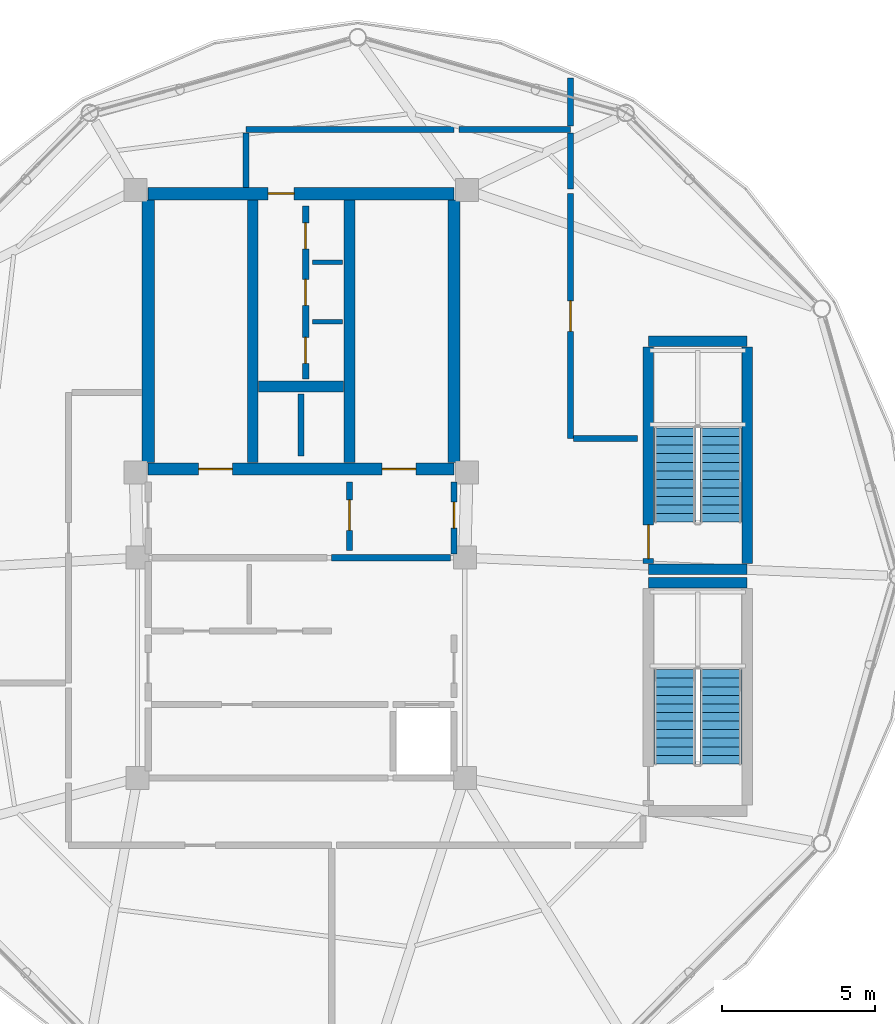
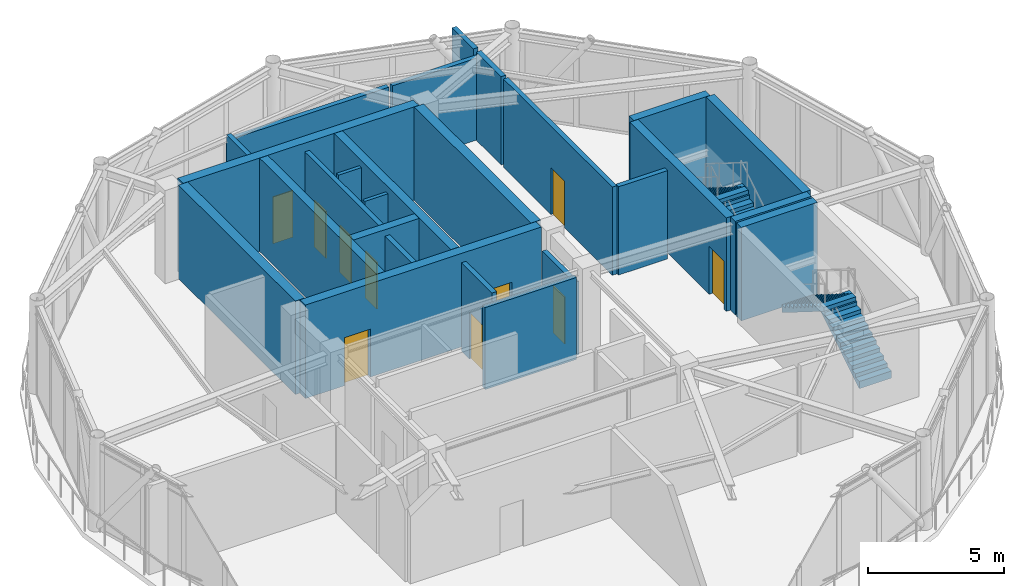
# One storey, part 18 of 21: 26 walls, 10 doors, 4 stair flights, 10 openings, 2 elements without a shape of their own.
"""IFC4 building model written with IfcOpenShell, lengths in metres."""

from ifc_helpers import new_model, si_unit, direction, frame, frame_2d, origin, place, context, subcontext, project, spatial, polyline, rectangle, outline, extrude, material, layer, layer_set, type_object, element, fill, aggregate, save


model = new_model("IFC4")

# Units and contexts
model_context = context("Model", 3, precision=1e-05, world=origin(), true_north=direction((0.0, 1.0)))
body_context = subcontext(model_context, "Body", "Model", "MODEL_VIEW")
ifc_project = project(units=[si_unit("LENGTHUNIT", "METRE"), si_unit("AREAUNIT", "SQUARE_METRE"), si_unit("VOLUMEUNIT", "CUBIC_METRE"), si_unit("PLANEANGLEUNIT", "RADIAN"), si_unit("MASSUNIT", "GRAM", prefix="KILO")], contexts=[model_context])

# Site, building, storey
site_placement = place(None, origin())
site = spatial("IfcSite", under=ifc_project, at=site_placement, CompositionType="ELEMENT")
building_placement = place(site_placement, origin())
building = spatial("IfcBuilding", under=site, at=building_placement, Name="Varnakorn Sky Granary", CompositionType="ELEMENT")
storey_placement = place(building_placement, frame((0.0, 0.0, 294.0)))
storey = spatial("IfcBuildingStorey", under=building, at=storey_placement, Name="L75", CompositionType="ELEMENT", Elevation=294.0)

# Walls
ifc_material_1 = material(Name="Concrete C50/60", Category="concrete")
ifc_layer_1 = layer(ifc_material_1, 0.35009765625, Name="Concrete C50/60")
ifc_layer_set_1 = layer_set([ifc_layer_1], Name="Concrete C50/60")
wall_type_1 = type_object("IfcWallType", Name="WT-CW-INT-350", PredefinedType="SHEAR", material=ifc_layer_set_1)
for number, where, z_axis, x_axis, name in (
    (1, (14.35009765625, 0.219970703125, 0.0), (0.0, 0.0, 1.0), (1.0, 0.0, 0.0), "Crown Stair STC1 South Wall L75"),
    (2, (14.35009765625, 7.679931640625, 0.0), (0.0, 0.0, 1.0), (1.0, 0.0, 0.0), "Crown Stair STC1 North Wall L75"),
):
    element("IfcWall", number, at=place(storey_placement, frame(where, z_axis=z_axis, x_axis=x_axis)), inside=storey, type_object=wall_type_1, Name=name, PredefinedType="SHEAR", context=body_context, shape_type="SweptSolid", body=[
        extrude(rectangle(XDim=3.22998046875, YDim=0.35009765625, at=frame_2d((1.614990234375, 0.0))), origin(), (0.0, 0.0, 1.0), 4.19189453125),
    ])

# Wall, opening, door
wall_1_placement = place(storey_placement, frame((14.35009765625, 0.409912109375, 0.0), z_axis=(0.0, 0.0, 1.0), x_axis=(0.0, 1.0, 0.0)))
wall_1 = element("IfcWall", 3, at=wall_1_placement, inside=storey, type_object=wall_type_1, Name="Crown Stair STC1 West Wall L75", PredefinedType="SHEAR", context=body_context, shape_type="SweptSolid", body=[
    extrude(rectangle(XDim=7.080078125, YDim=0.35009765625, at=frame_2d((3.5400390625, 0.0))), origin(), (0.0, 0.0, 1.0), 4.19189453125),
])
opening_1_placement = place(wall_1_placement, frame((0.159912109375, 0.0, 0.0)))
opening_1 = element("IfcOpeningElement", 4, at=opening_1_placement, cuts=wall_1, Name="Opening FD-90", PredefinedType="OPENING", context=body_context, shape_type="SweptSolid", body=[
    extrude(rectangle(XDim=1.10009765625, YDim=2.14990234375, at=frame_2d((0.550048828125, 1.074951171875))), frame((0.0, 0.18505859375, 0.0), z_axis=(0.0, -1.0, 0.0), x_axis=(1.0, 0.0, 0.0)), (0.0, 0.0, 1.0), 0.3701171875),
])
ifc_material_2 = material(Name="Galvanised Painted Steel Leaf", Category="steel")
door_type_1 = type_object("IfcDoorType", Name="DR-STAIR-1100", OperationType="NOTDEFINED", PredefinedType="DOOR", material=ifc_material_2)
door_1_placement = place(opening_1_placement, origin())
door_1 = element("IfcDoor", 5, at=door_1_placement, inside=storey, type_object=door_type_1, Name="Crown Stair STC1 Protected Fire Door L75", OperationType="SINGLE_SWING_LEFT", OverallHeight=2.14990234375, OverallWidth=1.10009765625, PredefinedType="DOOR", context=body_context, shape_type="SweptSolid", body=[
    extrude(rectangle(XDim=1.10009765625, YDim=2.14990234375, at=frame_2d((0.550048828125, 1.074951171875))), frame((0.0, 0.02490234375, 0.0), z_axis=(0.0, -1.0, 0.0), x_axis=(1.0, 0.0, 0.0)), (0.0, 0.0, 1.0), 0.050048828125),
])
fill(opening_1, door_1)

# Walls
wall_2_placement = place(storey_placement, frame((17.580078125, 0.409912109375, 0.0), z_axis=(0.0, 0.0, 1.0), x_axis=(0.0, 1.0, 0.0)))
element("IfcWall", 6, at=wall_2_placement, inside=storey, type_object=wall_type_1, Name="Crown Stair STC1 East Wall L75", PredefinedType="SHEAR", context=body_context, shape_type="SweptSolid", body=[
    extrude(rectangle(XDim=7.080078125, YDim=0.35009765625, at=frame_2d((3.5400390625, 0.0))), origin(), (0.0, 0.0, 1.0), 4.19189453125),
])
wall_3_placement = place(storey_placement, frame((14.35009765625, -0.219970703125, 0.0), z_axis=(0.0, 0.0, 1.0), x_axis=(1.0, 0.0, 0.0)))
element("IfcWall", 7, at=wall_3_placement, inside=storey, type_object=wall_type_1, Name="Crown Stair STC2 North Wall L75", PredefinedType="SHEAR", context=body_context, shape_type="SweptSolid", body=[
    extrude(rectangle(XDim=3.22998046875, YDim=0.35009765625, at=frame_2d((1.614990234375, 0.0))), origin(), (0.0, 0.0, 1.0), 4.19189453125),
])
for number, where, z_axis, x_axis, name in (
    (8, (1.419921875, 3.7099609375, 0.0), (0.0, 0.0, 1.0), (0.0, 1.0, 0.0), "Stair ST-1 Core Wall L75"),
    (9, (4.580078125, 3.7099609375, 0.0), (0.0, 0.0, 1.0), (0.0, 1.0, 0.0), "Stair ST-2 Core Wall L75"),
):
    element("IfcWall", number, at=place(storey_placement, frame(where, z_axis=z_axis, x_axis=x_axis)), inside=storey, type_object=wall_type_1, Name=name, PredefinedType="SHEAR", context=body_context, shape_type="SweptSolid", body=[
        extrude(rectangle(XDim=8.580078125, YDim=0.35009765625, at=frame_2d((4.2900390625, 0.0))), origin(), (0.0, 0.0, 1.0), 4.19189453125),
    ])
wall_4_placement = place(storey_placement, frame((1.610107421875, 6.199951171875, 0.0), z_axis=(0.0, 0.0, 1.0), x_axis=(1.0, 0.0, 0.0)))
element("IfcWall", 10, at=wall_4_placement, inside=storey, type_object=wall_type_1, Name="Core Lift Shaft Cross Wall L75", PredefinedType="SHEAR", context=body_context, shape_type="SweptSolid", body=[
    extrude(rectangle(XDim=2.77978515625, YDim=0.35009765625, at=frame_2d((1.389892578125, 0.0))), origin(), (0.0, 0.0, 1.0), 4.19189453125),
])

# Wall, openings, doors
ifc_layer_2 = layer(ifc_material_1, 0.39990234375, Name="Concrete C50/60")
ifc_layer_set_2 = layer_set([ifc_layer_2], Name="Concrete C50/60")
wall_type_2 = type_object("IfcWallType", Name="WT-CW-SHEAR-400", PredefinedType="SHEAR", material=ifc_layer_set_2)
wall_5_placement = place(storey_placement, frame((-2.0, 3.5, 0.0), z_axis=(0.0, 0.0, 1.0), x_axis=(1.0, 0.0, 0.0)))
wall_5 = element("IfcWall", 11, at=wall_5_placement, inside=storey, type_object=wall_type_2, Name="Core South Shear Wall L75", PredefinedType="SHEAR", context=body_context, shape_type="SweptSolid", body=[
    extrude(rectangle(XDim=10.0, YDim=0.39990234375, at=frame_2d((5.0, 0.0))), origin(), (0.0, 0.0, 1.0), 4.19189453125),
])
opening_2_placement = place(wall_5_placement, frame((1.64990234375, 0.0, 0.0)))
opening_2 = element("IfcOpeningElement", 12, at=opening_2_placement, cuts=wall_5, Name="Opening FD-90", PredefinedType="OPENING", context=body_context, shape_type="SweptSolid", body=[
    extrude(rectangle(XDim=1.10009765625, YDim=2.14990234375, at=frame_2d((0.550048828125, 1.074951171875))), frame((0.0, 0.2099609375, 0.0), z_axis=(0.0, -1.0, 0.0), x_axis=(1.0, 0.0, 0.0)), (0.0, 0.0, 1.0), 0.419921875),
])
opening_3_placement = place(wall_5_placement, frame((7.64990234375, 0.0, 0.0)))
opening_3 = element("IfcOpeningElement", 13, at=opening_3_placement, cuts=wall_5, Name="Opening FD-90", PredefinedType="OPENING", context=body_context, shape_type="SweptSolid", body=[
    extrude(rectangle(XDim=1.10009765625, YDim=2.14990234375, at=frame_2d((0.550048828125, 1.074951171875))), frame((0.0, 0.2099609375, 0.0), z_axis=(0.0, -1.0, 0.0), x_axis=(1.0, 0.0, 0.0)), (0.0, 0.0, 1.0), 0.419921875),
])
door_2_placement = place(opening_2_placement, origin())
door_2 = element("IfcDoor", 14, at=door_2_placement, inside=storey, type_object=door_type_1, Name="Stair ST-1 Protected Fire Door L75", OperationType="SINGLE_SWING_LEFT", OverallHeight=2.14990234375, OverallWidth=1.10009765625, PredefinedType="DOOR", context=body_context, shape_type="SweptSolid", body=[
    extrude(rectangle(XDim=1.10009765625, YDim=2.14990234375, at=frame_2d((0.550048828125, 1.074951171875))), frame((0.0, 0.02490234375, 0.0), z_axis=(0.0, -1.0, 0.0), x_axis=(1.0, 0.0, 0.0)), (0.0, 0.0, 1.0), 0.050048828125),
])
fill(opening_2, door_2)
door_3_placement = place(opening_3_placement, origin())
door_3 = element("IfcDoor", 15, at=door_3_placement, inside=storey, type_object=door_type_1, Name="Stair ST-2 Protected Fire Door L75", OperationType="SINGLE_SWING_RIGHT", OverallHeight=2.14990234375, OverallWidth=1.10009765625, PredefinedType="DOOR", context=body_context, shape_type="SweptSolid", body=[
    extrude(rectangle(XDim=1.10009765625, YDim=2.14990234375, at=frame_2d((0.550048828125, 1.074951171875))), frame((0.0, 0.02490234375, 0.0), z_axis=(0.0, -1.0, 0.0), x_axis=(1.0, 0.0, 0.0)), (0.0, 0.0, 1.0), 0.050048828125),
])
fill(opening_3, door_3)

# Wall, opening, door
wall_6_placement = place(storey_placement, frame((-2.0, 12.5, 0.0), z_axis=(0.0, 0.0, 1.0), x_axis=(1.0, 0.0, 0.0)))
wall_6 = element("IfcWall", 16, at=wall_6_placement, inside=storey, type_object=wall_type_2, Name="Core North Shear Wall L75", PredefinedType="SHEAR", context=body_context, shape_type="SweptSolid", body=[
    extrude(rectangle(XDim=10.0, YDim=0.39990234375, at=frame_2d((5.0, 0.0))), origin(), (0.0, 0.0, 1.0), 4.19189453125),
])
opening_4_placement = place(wall_6_placement, frame((3.919921875, 0.0, 0.0)))
opening_4 = element("IfcOpeningElement", 17, at=opening_4_placement, cuts=wall_6, Name="Opening FD-60N", PredefinedType="OPENING", context=body_context, shape_type="SweptSolid", body=[
    extrude(rectangle(XDim=0.85009765625, YDim=2.10009765625, at=frame_2d((0.425048828125, 1.050048828125))), frame((0.0, 0.2099609375, 0.0), z_axis=(0.0, -1.0, 0.0), x_axis=(1.0, 0.0, 0.0)), (0.0, 0.0, 1.0), 0.419921875),
])
ifc_material_3 = material(Name="Acoustic Timber Fire Leaf", Category="wood")
door_type_2 = type_object("IfcDoorType", Name="DR-FD60-850", OperationType="NOTDEFINED", PredefinedType="DOOR", material=ifc_material_3)
door_4_placement = place(opening_4_placement, origin())
door_4 = element("IfcDoor", 18, at=door_4_placement, inside=storey, type_object=door_type_2, Name="Core North Service Door L75", OperationType="SINGLE_SWING_LEFT", OverallHeight=2.10009765625, OverallWidth=0.85009765625, PredefinedType="DOOR", context=body_context, shape_type="SweptSolid", body=[
    extrude(rectangle(XDim=0.85009765625, YDim=2.10009765625, at=frame_2d((0.425048828125, 1.050048828125))), frame((0.0, 0.02490234375, 0.0), z_axis=(0.0, -1.0, 0.0), x_axis=(1.0, 0.0, 0.0)), (0.0, 0.0, 1.0), 0.050048828125),
])
fill(opening_4, door_4)

# Walls
for number, where, z_axis, x_axis, name in (
    (19, (-2.0, 3.7099609375, 0.0), (0.0, 0.0, 1.0), (0.0, 1.0, 0.0), "Core West Shear Wall L75"),
    (20, (8.0, 3.7099609375, 0.0), (0.0, 0.0, 1.0), (0.0, 1.0, 0.0), "Core East Shear Wall L75"),
):
    element("IfcWall", number, at=place(storey_placement, frame(where, z_axis=z_axis, x_axis=x_axis)), inside=storey, type_object=wall_type_2, Name=name, PredefinedType="SHEAR", context=body_context, shape_type="SweptSolid", body=[
        extrude(rectangle(XDim=8.580078125, YDim=0.39990234375, at=frame_2d((4.2900390625, 0.0))), origin(), (0.0, 0.0, 1.0), 4.19189453125),
    ])

# Wall, openings, doors
ifc_material_4 = material(Name="Autoclaved Aerated Concrete Blockwork", Category="masonry")
ifc_layer_3 = layer(ifc_material_4, 0.199951171875, Name="Autoclaved Aerated Concrete Blockwork")
ifc_layer_set_3 = layer_set([ifc_layer_3], Name="Autoclaved Aerated Concrete Blockwork")
wall_type_3 = type_object("IfcWallType", Name="WT-FIRE-200", PredefinedType="MOVABLE", material=ifc_layer_set_3)
wall_7_placement = place(storey_placement, frame((3.14990234375, 6.449951171875, 0.0), z_axis=(0.0, 0.0, 1.0), x_axis=(0.0, 1.0, 0.0)))
wall_7 = element("IfcWall", 21, at=wall_7_placement, inside=storey, type_object=wall_type_3, Name="Interior Partition Wall L75-007", PredefinedType="MOVABLE", context=body_context, shape_type="SweptSolid", body=[
    extrude(rectangle(XDim=5.650146484375, YDim=0.199951171875, at=frame_2d((2.8251953125, 0.0))), origin(), (0.0, 0.0, 1.0), 3.9599609375),
])
opening_5_placement = place(wall_7_placement, frame((0.5, 0.0, 0.0)))
opening_5 = element("IfcOpeningElement", 22, at=opening_5_placement, cuts=wall_7, Name="Opening FD-60N", PredefinedType="OPENING", context=body_context, shape_type="SweptSolid", body=[
    extrude(rectangle(XDim=0.85009765625, YDim=2.10009765625, at=frame_2d((0.425048828125, 1.050048828125))), frame((0.0, 0.10986328125, 0.0), z_axis=(0.0, -1.0, 0.0), x_axis=(1.0, 0.0, 0.0)), (0.0, 0.0, 1.0), 0.219970703125),
])
opening_6_placement = place(wall_7_placement, frame((2.39990234375, 0.0, 0.0)))
opening_6 = element("IfcOpeningElement", 23, at=opening_6_placement, cuts=wall_7, Name="Opening FD-60N", PredefinedType="OPENING", context=body_context, shape_type="SweptSolid", body=[
    extrude(rectangle(XDim=0.85009765625, YDim=2.10009765625, at=frame_2d((0.425048828125, 1.050048828125))), frame((0.0, 0.10986328125, 0.0), z_axis=(0.0, -1.0, 0.0), x_axis=(1.0, 0.0, 0.0)), (0.0, 0.0, 1.0), 0.219970703125),
])
opening_7_placement = place(wall_7_placement, frame((4.25, 0.0, 0.0)))
opening_7 = element("IfcOpeningElement", 24, at=opening_7_placement, cuts=wall_7, Name="Opening FD-60N", PredefinedType="OPENING", context=body_context, shape_type="SweptSolid", body=[
    extrude(rectangle(XDim=0.85009765625, YDim=2.10009765625, at=frame_2d((0.425048828125, 1.050048828125))), frame((0.0, 0.10986328125, 0.0), z_axis=(0.0, -1.0, 0.0), x_axis=(1.0, 0.0, 0.0)), (0.0, 0.0, 1.0), 0.219970703125),
])
door_5_placement = place(opening_5_placement, origin())
door_5 = element("IfcDoor", 25, at=door_5_placement, inside=storey, type_object=door_type_2, Name="Interior Door L75-007-1", OperationType="SINGLE_SWING_RIGHT", OverallHeight=2.10009765625, OverallWidth=0.85009765625, PredefinedType="DOOR", context=body_context, shape_type="SweptSolid", body=[
    extrude(rectangle(XDim=0.85009765625, YDim=2.10009765625, at=frame_2d((0.425048828125, 1.050048828125))), frame((0.0, 0.02490234375, 0.0), z_axis=(0.0, -1.0, 0.0), x_axis=(1.0, 0.0, 0.0)), (0.0, 0.0, 1.0), 0.050048828125),
])
fill(opening_5, door_5)
door_6_placement = place(opening_6_placement, origin())
door_6 = element("IfcDoor", 26, at=door_6_placement, inside=storey, type_object=door_type_2, Name="Interior Door L75-007-2", OperationType="SINGLE_SWING_LEFT", OverallHeight=2.10009765625, OverallWidth=0.85009765625, PredefinedType="DOOR", context=body_context, shape_type="SweptSolid", body=[
    extrude(rectangle(XDim=0.85009765625, YDim=2.10009765625, at=frame_2d((0.425048828125, 1.050048828125))), frame((0.0, 0.02490234375, 0.0), z_axis=(0.0, -1.0, 0.0), x_axis=(1.0, 0.0, 0.0)), (0.0, 0.0, 1.0), 0.050048828125),
])
fill(opening_6, door_6)
door_7_placement = place(opening_7_placement, origin())
door_7 = element("IfcDoor", 27, at=door_7_placement, inside=storey, type_object=door_type_2, Name="Interior Door L75-007-3", OperationType="SINGLE_SWING_RIGHT", OverallHeight=2.10009765625, OverallWidth=0.85009765625, PredefinedType="DOOR", context=body_context, shape_type="SweptSolid", body=[
    extrude(rectangle(XDim=0.85009765625, YDim=2.10009765625, at=frame_2d((0.425048828125, 1.050048828125))), frame((0.0, 0.02490234375, 0.0), z_axis=(0.0, -1.0, 0.0), x_axis=(1.0, 0.0, 0.0)), (0.0, 0.0, 1.0), 0.050048828125),
])
fill(opening_7, door_7)

# Wall, opening, door
wall_8_placement = place(storey_placement, frame((4.580078125, 0.830078125, 0.0), z_axis=(0.0, 0.0, 1.0), x_axis=(0.0, 1.0, 0.0)))
wall_8 = element("IfcWall", 28, at=wall_8_placement, inside=storey, type_object=wall_type_3, Name="Interior Partition Wall L75-008", PredefinedType="MOVABLE", context=body_context, shape_type="SweptSolid", body=[
    extrude(rectangle(XDim=2.239990234375, YDim=0.199951171875, at=frame_2d((1.1201171875, 0.0))), origin(), (0.0, 0.0, 1.0), 3.9599609375),
])
opening_8_placement = place(wall_8_placement, frame((0.659912109375, 0.0, 0.0)))
opening_8 = element("IfcOpeningElement", 29, at=opening_8_placement, cuts=wall_8, Name="Opening FD-60", PredefinedType="OPENING", context=body_context, shape_type="SweptSolid", body=[
    extrude(rectangle(XDim=1.0, YDim=2.10009765625, at=frame_2d((0.5, 1.050048828125))), frame((0.0, 0.10986328125, 0.0), z_axis=(0.0, -1.0, 0.0), x_axis=(1.0, 0.0, 0.0)), (0.0, 0.0, 1.0), 0.219970703125),
])
door_type_3 = type_object("IfcDoorType", Name="DR-FD60-1000", OperationType="NOTDEFINED", PredefinedType="DOOR", material=ifc_material_3)
door_8_placement = place(opening_8_placement, origin())
door_8 = element("IfcDoor", 30, at=door_8_placement, inside=storey, type_object=door_type_3, Name="Interior Door L75-008-1", OperationType="SINGLE_SWING_LEFT", OverallHeight=2.10009765625, OverallWidth=1.0, PredefinedType="DOOR", context=body_context, shape_type="SweptSolid", body=[
    extrude(rectangle(XDim=1.0, YDim=2.10009765625, at=frame_2d((0.5, 1.050048828125))), frame((0.0, 0.02490234375, 0.0), z_axis=(0.0, -1.0, 0.0), x_axis=(1.0, 0.0, 0.0)), (0.0, 0.0, 1.0), 0.050048828125),
])
fill(opening_8, door_8)

wall_9_placement = place(storey_placement, frame((8.0, 0.719970703125, 0.0), z_axis=(0.0, 0.0, 1.0), x_axis=(0.0, 1.0, 0.0)))
wall_9 = element("IfcWall", 31, at=wall_9_placement, inside=storey, type_object=wall_type_3, Name="Interior Partition Wall L75-010", PredefinedType="MOVABLE", context=body_context, shape_type="SweptSolid", body=[
    extrude(rectangle(XDim=2.35009765625, YDim=0.199951171875, at=frame_2d((1.175048828125, 0.0))), origin(), (0.0, 0.0, 1.0), 3.2919921875),
])
opening_9_placement = place(wall_9_placement, frame((0.844970703125, 0.0, 0.0)))
opening_9 = element("IfcOpeningElement", 32, at=opening_9_placement, cuts=wall_9, Name="Opening FD-60N", PredefinedType="OPENING", context=body_context, shape_type="SweptSolid", body=[
    extrude(rectangle(XDim=0.85009765625, YDim=2.10009765625, at=frame_2d((0.425048828125, 1.050048828125))), frame((0.0, 0.10986328125, 0.0), z_axis=(0.0, -1.0, 0.0), x_axis=(1.0, 0.0, 0.0)), (0.0, 0.0, 1.0), 0.219970703125),
])
door_9_placement = place(opening_9_placement, origin())
door_9 = element("IfcDoor", 33, at=door_9_placement, inside=storey, type_object=door_type_2, Name="Interior Door L75-010-1", OperationType="SINGLE_SWING_LEFT", OverallHeight=2.10009765625, OverallWidth=0.85009765625, PredefinedType="DOOR", context=body_context, shape_type="SweptSolid", body=[
    extrude(rectangle(XDim=0.85009765625, YDim=2.10009765625, at=frame_2d((0.425048828125, 1.050048828125))), frame((0.0, 0.02490234375, 0.0), z_axis=(0.0, -1.0, 0.0), x_axis=(1.0, 0.0, 0.0)), (0.0, 0.0, 1.0), 0.050048828125),
])
fill(opening_9, door_9)

wall_10_placement = place(storey_placement, frame((11.800048828125, 4.5, 0.0), z_axis=(0.0, 0.0, 1.0), x_axis=(0.0, 1.0, 0.0)))
wall_10 = element("IfcWall", 34, at=wall_10_placement, inside=storey, type_object=wall_type_3, Name="Interior Partition Wall L75-017", PredefinedType="MOVABLE", context=body_context, shape_type="SweptSolid", body=[
    extrude(rectangle(XDim=8.0, YDim=0.199951171875, at=frame_2d((4.0, 0.0))), origin(), (0.0, 0.0, 1.0), 3.9599609375),
])
opening_10_placement = place(wall_10_placement, frame((3.5, 0.0, 0.0)))
opening_10 = element("IfcOpeningElement", 35, at=opening_10_placement, cuts=wall_10, Name="Opening FD-60", PredefinedType="OPENING", context=body_context, shape_type="SweptSolid", body=[
    extrude(rectangle(XDim=1.0, YDim=2.10009765625, at=frame_2d((0.5, 1.050048828125))), frame((0.0, 0.10986328125, 0.0), z_axis=(0.0, -1.0, 0.0), x_axis=(1.0, 0.0, 0.0)), (0.0, 0.0, 1.0), 0.219970703125),
])
door_10_placement = place(opening_10_placement, origin())
door_10 = element("IfcDoor", 36, at=door_10_placement, inside=storey, type_object=door_type_3, Name="Interior Door L75-017-1", OperationType="SINGLE_SWING_LEFT", OverallHeight=2.10009765625, OverallWidth=1.0, PredefinedType="DOOR", context=body_context, shape_type="SweptSolid", body=[
    extrude(rectangle(XDim=1.0, YDim=2.10009765625, at=frame_2d((0.5, 1.050048828125))), frame((0.0, 0.02490234375, 0.0), z_axis=(0.0, -1.0, 0.0), x_axis=(1.0, 0.0, 0.0)), (0.0, 0.0, 1.0), 0.050048828125),
])
fill(opening_10, door_10)

# Walls
wall_11_placement = place(storey_placement, frame((8.0, 14.60009765625, 0.0), z_axis=(0.0, 0.0, 1.0), x_axis=(-1.0, 0.0, 0.0)))
element("IfcWall", 37, at=wall_11_placement, inside=storey, type_object=wall_type_3, Name="Interior Partition Wall L75-025", PredefinedType="MOVABLE", context=body_context, shape_type="SweptSolid", body=[
    extrude(rectangle(XDim=6.800048828125, YDim=0.199951171875, at=frame_2d((3.39990234375, 0.0))), origin(), (0.0, 0.0, 1.0), 3.672119140625),
])
wall_12_placement = place(storey_placement, frame((11.800048828125, 14.60009765625, 0.0), z_axis=(0.0, 0.0, 1.0), x_axis=(-1.0, 0.0, 0.0)))
element("IfcWall", 38, at=wall_12_placement, inside=storey, type_object=wall_type_3, Name="Interior Partition Wall L75-026", PredefinedType="MOVABLE", context=body_context, shape_type="SweptSolid", body=[
    extrude(rectangle(XDim=3.64013671875, YDim=0.199951171875, at=frame_2d((1.820068359375, 0.0))), origin(), (0.0, 0.0, 1.0), 3.672119140625),
])
wall_13_placement = place(storey_placement, frame((1.199951171875, 14.489990234375, 0.0), z_axis=(0.0, 0.0, 1.0), x_axis=(0.0, -1.0, 0.0)))
element("IfcWall", 39, at=wall_13_placement, inside=storey, type_object=wall_type_3, Name="Interior Partition Wall L75-028", PredefinedType="MOVABLE", context=body_context, shape_type="SweptSolid", body=[
    extrude(rectangle(XDim=1.780029296875, YDim=0.199951171875, at=frame_2d((0.89013671875, 0.0))), origin(), (0.0, 0.0, 1.0), 3.9599609375),
])
wall_14_placement = place(storey_placement, frame((13.9951171875, 4.5, 0.0), z_axis=(0.0, 0.0, 1.0), x_axis=(-1.0, 0.0, 0.0)))
element("IfcWall", 40, at=wall_14_placement, inside=storey, type_object=wall_type_3, Name="Interior Partition Wall L75-033", PredefinedType="MOVABLE", context=body_context, shape_type="SweptSolid", body=[
    extrude(rectangle(XDim=2.085205078125, YDim=0.199951171875, at=frame_2d((1.04248046875, 0.0))), origin(), (0.0, 0.0, 1.0), 3.9599609375),
])
wall_15_placement = place(storey_placement, frame((11.800048828125, 12.659912109375, 0.0), z_axis=(0.0, 0.0, 1.0), x_axis=(0.0, 1.0, 0.0)))
element("IfcWall", 41, at=wall_15_placement, inside=storey, type_object=wall_type_3, Name="Interior Partition Wall L75-034", PredefinedType="MOVABLE", context=body_context, shape_type="SweptSolid", body=[
    extrude(rectangle(XDim=1.830078125, YDim=0.199951171875, at=frame_2d((0.9150390625, 0.0))), origin(), (0.0, 0.0, 1.0), 3.9599609375),
])
wall_16_placement = place(storey_placement, frame((11.800048828125, 16.277099609375, 0.0), z_axis=(0.0, 0.0, 1.0), x_axis=(0.0, -1.0, 0.0)))
element("IfcWall", 42, at=wall_16_placement, inside=storey, type_object=wall_type_3, Name="Interior Partition Wall L75-037", PredefinedType="MOVABLE", context=body_context, shape_type="SweptSolid", body=[
    extrude(rectangle(XDim=1.567138671875, YDim=0.199951171875, at=frame_2d((0.78369140625, 0.0))), origin(), (0.0, 0.0, 1.0), 3.9599609375),
])
ifc_material_5 = material(Name="Gypsum Plasterboard on Steel Stud", Category="steel")
ifc_layer_4 = layer(ifc_material_5, 0.14990234375, Name="Gypsum Plasterboard on Steel Stud")
ifc_layer_set_4 = layer_set([ifc_layer_4], Name="Gypsum Plasterboard on Steel Stud")
wall_type_4 = type_object("IfcWallType", Name="WT-PART-150", PredefinedType="PARTITIONING", material=ifc_layer_set_4)
for number, where, z_axis, x_axis, name in (
    (43, (3.3701171875, 8.320068359375, 0.0), (0.0, 0.0, 1.0), (1.0, 0.0, 0.0), "Interior Partition Wall L75-018"),
    (44, (3.3701171875, 10.260009765625, 0.0), (0.0, 0.0, 1.0), (1.0, 0.0, 0.0), "Interior Partition Wall L75-019"),
):
    element("IfcWall", number, at=place(storey_placement, frame(where, z_axis=z_axis, x_axis=x_axis)), inside=storey, type_object=wall_type_4, Name=name, PredefinedType="PARTITIONING", context=body_context, shape_type="SweptSolid", body=[
        extrude(rectangle(XDim=0.97998046875, YDim=0.14990234375, at=frame_2d((0.489990234375, 0.0))), origin(), (0.0, 0.0, 1.0), 3.9599609375),
    ])
ifc_layer_5 = layer(ifc_material_4, 0.199951171875, Name="Autoclaved Aerated Concrete Blockwork")
ifc_layer_set_5 = layer_set([ifc_layer_5], Name="Autoclaved Aerated Concrete Blockwork")
wall_type_5 = type_object("IfcWallType", Name="WT-SHAFT-200", PredefinedType="SOLIDWALL", material=ifc_layer_set_5)
wall_17_placement = place(storey_placement, frame((3.0, 3.919921875, 0.0), z_axis=(0.0, 0.0, 1.0), x_axis=(0.0, 1.0, 0.0)))
element("IfcWall", 45, at=wall_17_placement, inside=storey, type_object=wall_type_5, Name="Interior Partition Wall L75-001", PredefinedType="SOLIDWALL", context=body_context, shape_type="SweptSolid", body=[
    extrude(rectangle(XDim=2.030029296875, YDim=0.199951171875, at=frame_2d((1.01513671875, 0.0))), origin(), (0.0, 0.0, 1.0), 3.9599609375),
])
wall_18_placement = place(storey_placement, frame((4.0, 0.60009765625, 0.0), z_axis=(0.0, 0.0, 1.0), x_axis=(1.0, 0.0, 0.0)))
element("IfcWall", 46, at=wall_18_placement, inside=storey, type_object=wall_type_5, Name="Interior Partition Wall L75-002", PredefinedType="SOLIDWALL", context=body_context, shape_type="SweptSolid", body=[
    extrude(rectangle(XDim=3.8798828125, YDim=0.199951171875, at=frame_2d((1.93994140625, 0.0))), origin(), (0.0, 0.0, 1.0), 3.672119140625),
])

# Stair, stair flights
ifc_material_6 = material(Name="Concrete C40/50", Category="concrete")
stair_type = type_object("IfcStairType", Name="ST-CRWN-ASSEMBLY", PredefinedType="HALF_TURN_STAIR", material=ifc_material_6)
stair_1_placement = place(storey_placement, origin())
stair_1 = element("IfcStair", 47, at=stair_1_placement, inside=storey, type_object=stair_type, Name="L75 Crown North Exit Stair ST-C1", PredefinedType="HALF_TURN_STAIR")
stair_flight_type = type_object("IfcStairFlightType", Name="ST-CRWN-FLIGHT", PredefinedType="STRAIGHT", material=ifc_material_6)
stair_flight_1_placement = place(storey_placement, frame((16.719970703125, 1.760009765625, 0.0), z_axis=(0.0, 0.0, 1.0), x_axis=(0.0, 1.0, 0.0)))
stair_flight_1 = element("IfcStairFlight", 48, at=stair_flight_1_placement, type_object=stair_flight_type, Name="ST-C1 flight 1", NumberOfRisers=12, NumberOfTreads=11, PredefinedType="STRAIGHT", RiserHeight=0.175, TreadLength=0.28, context=body_context, shape_type="SweptSolid", body=[
    extrude(outline(polyline([(0.0, -0.14990234375), (0.0, 0.0), (0.0, 0.175048828125), (0.280029296875, 0.175048828125), (0.280029296875, 0.35009765625), (0.56005859375, 0.35009765625), (0.56005859375, 0.52490234375), (0.840087890625, 0.52490234375), (0.840087890625, 0.699951171875), (1.1201171875, 0.699951171875), (1.1201171875, 0.875), (1.39990234375, 0.875), (1.39990234375, 1.050048828125), (1.679931640625, 1.050048828125), (1.679931640625, 1.22509765625), (1.9599609375, 1.22509765625), (1.9599609375, 1.39990234375), (2.239990234375, 1.39990234375), (2.239990234375, 1.574951171875), (2.52001953125, 1.574951171875), (2.52001953125, 1.75), (2.800048828125, 1.75), (2.800048828125, 1.925048828125), (3.080078125, 1.925048828125), (3.080078125, 2.10009765625), (3.080078125, 1.748291015625), (0.050048828125, -0.14990234375), (0.0, -0.14990234375)])), frame((0.0, 0.68017578125, 0.0), z_axis=(0.0, -1.0, 0.0), x_axis=(1.0, 0.0, 0.0)), (0.0, 0.0, 1.0), 1.360107421875),
])
stair_flight_2_placement = place(storey_placement, frame((15.2099609375, 4.840087890625, 2.10009765625), z_axis=(0.0, 0.0, 1.0), x_axis=(0.0, -1.0, 0.0)))
stair_flight_2 = element("IfcStairFlight", 49, at=stair_flight_2_placement, type_object=stair_flight_type, Name="ST-C1 flight 2", NumberOfRisers=12, NumberOfTreads=11, PredefinedType="STRAIGHT", RiserHeight=0.175, TreadLength=0.28, context=body_context, shape_type="SweptSolid", body=[
    extrude(outline(polyline([(0.0, -0.14990234375), (0.0, 0.0), (0.0, 0.175048828125), (0.280029296875, 0.175048828125), (0.280029296875, 0.35009765625), (0.56005859375, 0.35009765625), (0.56005859375, 0.52490234375), (0.840087890625, 0.52490234375), (0.840087890625, 0.699951171875), (1.1201171875, 0.699951171875), (1.1201171875, 0.875), (1.39990234375, 0.875), (1.39990234375, 1.050048828125), (1.679931640625, 1.050048828125), (1.679931640625, 1.22509765625), (1.9599609375, 1.22509765625), (1.9599609375, 1.39990234375), (2.239990234375, 1.39990234375), (2.239990234375, 1.574951171875), (2.52001953125, 1.574951171875), (2.52001953125, 1.75), (2.800048828125, 1.75), (2.800048828125, 1.925048828125), (3.080078125, 1.925048828125), (3.080078125, 2.10009765625), (3.080078125, 1.748291015625), (0.050048828125, -0.14990234375), (0.0, -0.14990234375)])), frame((0.0, 0.68017578125, 0.0), z_axis=(0.0, -1.0, 0.0), x_axis=(1.0, 0.0, 0.0)), (0.0, 0.0, 1.0), 1.360107421875),
])
aggregate(stair_1, [stair_flight_1, stair_flight_2])

stair_2_placement = place(storey_placement, origin())
stair_2 = element("IfcStair", 50, at=stair_2_placement, inside=storey, type_object=stair_type, Name="L75 Crown South Exit Stair ST-C2", PredefinedType="HALF_TURN_STAIR")
stair_flight_3_placement = place(storey_placement, frame((16.719970703125, -6.139892578125, 0.0), z_axis=(0.0, 0.0, 1.0), x_axis=(0.0, 1.0, 0.0)))
stair_flight_3 = element("IfcStairFlight", 51, at=stair_flight_3_placement, type_object=stair_flight_type, Name="ST-C2 flight 1", NumberOfRisers=12, NumberOfTreads=11, PredefinedType="STRAIGHT", RiserHeight=0.175, TreadLength=0.28, context=body_context, shape_type="SweptSolid", body=[
    extrude(outline(polyline([(0.0, -0.14990234375), (0.0, 0.0), (0.0, 0.175048828125), (0.280029296875, 0.175048828125), (0.280029296875, 0.35009765625), (0.56005859375, 0.35009765625), (0.56005859375, 0.52490234375), (0.840087890625, 0.52490234375), (0.840087890625, 0.699951171875), (1.1201171875, 0.699951171875), (1.1201171875, 0.875), (1.39990234375, 0.875), (1.39990234375, 1.050048828125), (1.679931640625, 1.050048828125), (1.679931640625, 1.22509765625), (1.9599609375, 1.22509765625), (1.9599609375, 1.39990234375), (2.239990234375, 1.39990234375), (2.239990234375, 1.574951171875), (2.52001953125, 1.574951171875), (2.52001953125, 1.75), (2.800048828125, 1.75), (2.800048828125, 1.925048828125), (3.080078125, 1.925048828125), (3.080078125, 2.10009765625), (3.080078125, 1.748291015625), (0.050048828125, -0.14990234375), (0.0, -0.14990234375)])), frame((0.0, 0.68017578125, 0.0), z_axis=(0.0, -1.0, 0.0), x_axis=(1.0, 0.0, 0.0)), (0.0, 0.0, 1.0), 1.360107421875),
])
stair_flight_4_placement = place(storey_placement, frame((15.2099609375, -3.06005859375, 2.10009765625), z_axis=(0.0, 0.0, 1.0), x_axis=(0.0, -1.0, 0.0)))
stair_flight_4 = element("IfcStairFlight", 52, at=stair_flight_4_placement, type_object=stair_flight_type, Name="ST-C2 flight 2", NumberOfRisers=12, NumberOfTreads=11, PredefinedType="STRAIGHT", RiserHeight=0.175, TreadLength=0.28, context=body_context, shape_type="SweptSolid", body=[
    extrude(outline(polyline([(0.0, -0.14990234375), (0.0, 0.0), (0.0, 0.175048828125), (0.280029296875, 0.175048828125), (0.280029296875, 0.35009765625), (0.56005859375, 0.35009765625), (0.56005859375, 0.52490234375), (0.840087890625, 0.52490234375), (0.840087890625, 0.699951171875), (1.1201171875, 0.699951171875), (1.1201171875, 0.875), (1.39990234375, 0.875), (1.39990234375, 1.050048828125), (1.679931640625, 1.050048828125), (1.679931640625, 1.22509765625), (1.9599609375, 1.22509765625), (1.9599609375, 1.39990234375), (2.239990234375, 1.39990234375), (2.239990234375, 1.574951171875), (2.52001953125, 1.574951171875), (2.52001953125, 1.75), (2.800048828125, 1.75), (2.800048828125, 1.925048828125), (3.080078125, 1.925048828125), (3.080078125, 2.10009765625), (3.080078125, 1.748291015625), (0.050048828125, -0.14990234375), (0.0, -0.14990234375)])), frame((0.0, 0.68017578125, 0.0), z_axis=(0.0, -1.0, 0.0), x_axis=(1.0, 0.0, 0.0)), (0.0, 0.0, 1.0), 1.360107421875),
])
aggregate(stair_2, [stair_flight_3, stair_flight_4])

save(model, "model.ifc")
